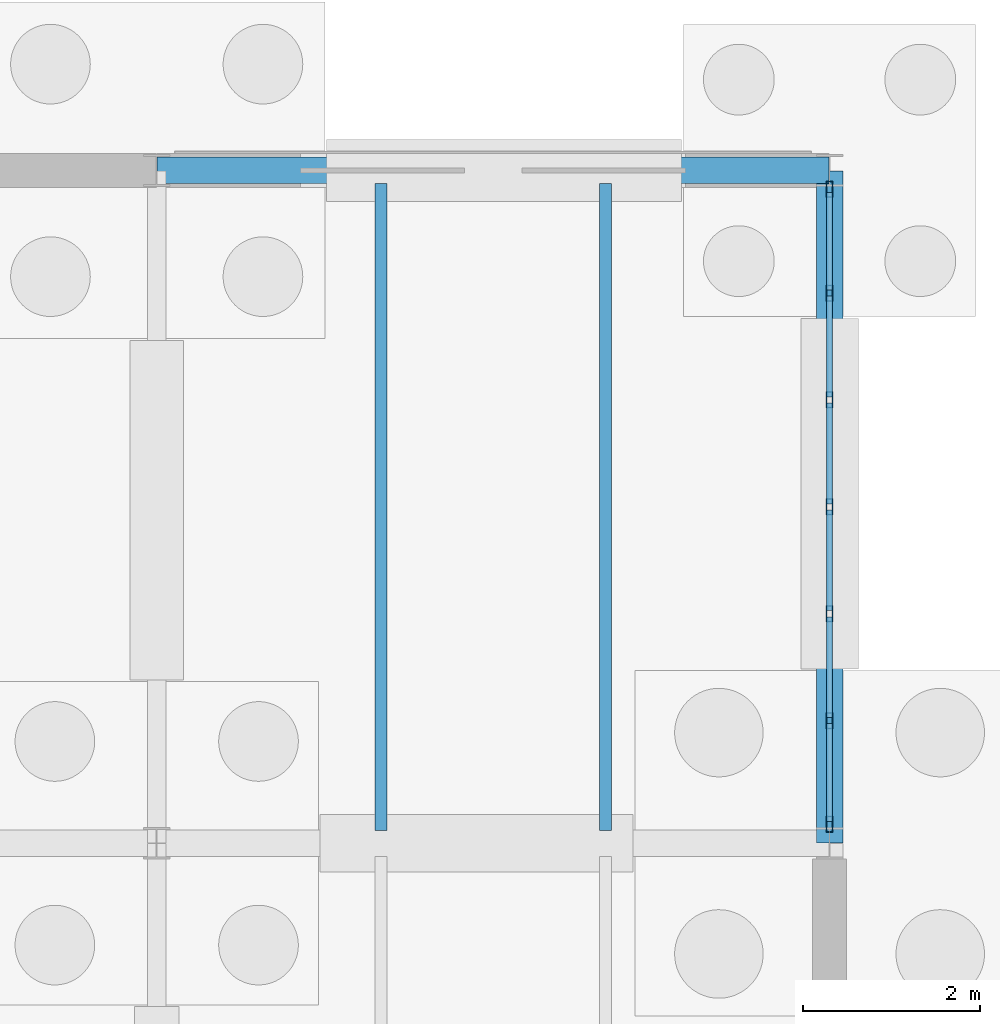
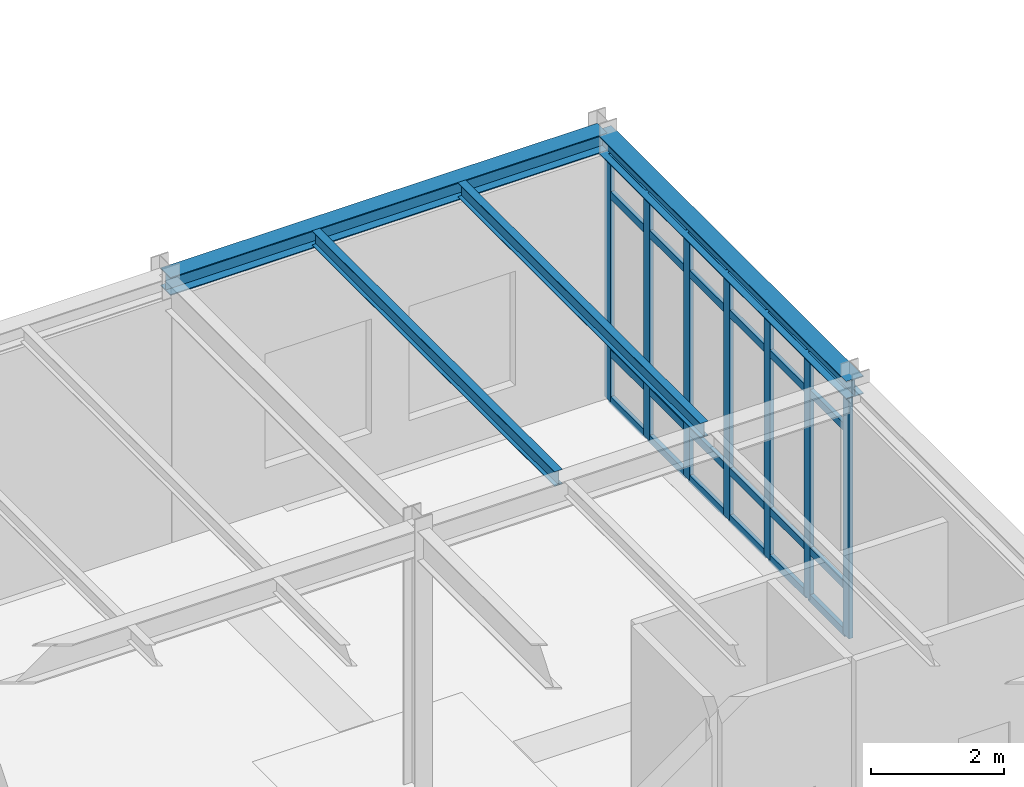
# One storey, part 35 of 109: 31 members, 4 beams, 1 element without a shape of its own.
"""IFC4 building model written with IfcOpenShell, lengths in metres."""

from ifc_helpers import new_model, si_unit, direction, frame, origin, origin_2d, place, context, subcontext, project, spatial, hollow_rectangle, i_section, extrude, material, layer, layer_set, material_profile, profile_set, type_object, element, aggregate, save


model = new_model("IFC4")

# Units and contexts
model_context = context("Model", 3, precision=1e-05, world=origin(), true_north=direction((0.0, 1.0)))
body_context = subcontext(model_context, "Body", "Model", "MODEL_VIEW")
ifc_project = project(units=[si_unit("LENGTHUNIT", "METRE"), si_unit("AREAUNIT", "SQUARE_METRE"), si_unit("VOLUMEUNIT", "CUBIC_METRE"), si_unit("PLANEANGLEUNIT", "RADIAN"), si_unit("MASSUNIT", "GRAM", prefix="KILO")], contexts=[model_context])

# Site, building, storey
site_placement = place(None, origin())
site = spatial("IfcSite", under=ifc_project, at=site_placement, CompositionType="ELEMENT")
building_placement = place(site_placement, origin())
building = spatial("IfcBuilding", under=site, at=building_placement, Name="Montecoro Central Library", CompositionType="ELEMENT")
storey_placement = place(building_placement, origin())
storey = spatial("IfcBuildingStorey", under=building, at=storey_placement, Name="L00", CompositionType="ELEMENT", Elevation=0.0)

# Beams
ifc_material_1 = material(Name="Steel S355", Category="steel")
ifc_material_profile_1 = material_profile(ifc_material_1, i_section(OverallWidth=0.135009765625, OverallDepth=0.27001953125, WebThickness=0.006591796875, FlangeThickness=0.01025390625, at=origin_2d()), Name="IPE 270")
ifc_profile_set_1 = profile_set([ifc_material_profile_1], Name="Steel S355")
beam_type_1 = type_object("IfcBeamType", Name="BM-J-IPE270", PredefinedType="JOIST", material=ifc_profile_set_1)
for number, where, z_axis, x_axis, name in (
    (1, (37.93310546875, 27.947021484375, 4.7099609375), (0.0, 1.0, 0.0), (-1.0, 0.0, 0.0), "V3-L00-JS-56-DE-1"),
    (2, (40.467041015625, 27.947021484375, 4.7099609375), (0.0, 1.0, 0.0), (-1.0, 0.0, 0.0), "V3-L00-JS-56-DE-2"),
):
    element("IfcBeam", number, at=place(storey_placement, frame(where, z_axis=z_axis, x_axis=x_axis)), inside=storey, type_object=beam_type_1, Name=name, PredefinedType="JOIST", context=body_context, shape_type="SweptSolid", body=[
        extrude(i_section(OverallWidth=0.135009765625, OverallDepth=0.27001953125, WebThickness=0.006591796875, FlangeThickness=0.01025390625, at=origin_2d()), origin(), (0.0, 0.0, 1.0), 7.305908203125),
    ])
ifc_material_profile_2 = material_profile(ifc_material_1, i_section(OverallWidth=0.300048828125, OverallDepth=0.330078125, WebThickness=0.009521484375, FlangeThickness=0.0166015625, at=origin_2d()), Name="HEA 340")
ifc_profile_set_2 = profile_set([ifc_material_profile_2], Name="Steel S355")
beam_type_2 = type_object("IfcBeamType", Name="BM-SP-HEA340", PredefinedType="SPANDREL", material=ifc_profile_set_2)
for number, where, z_axis, x_axis, name in (
    (3, (35.405029296875, 35.39990234375, 4.679931640625), (1.0, 0.0, 0.0), (0.0, 1.0, 0.0), "V3-L00-BX-56-E"),
    (4, (43.0, 27.804931640625, 4.679931640625), (0.0, 1.0, 0.0), (-1.0, 0.0, 0.0), "V3-L00-BY-6-DE"),
):
    element("IfcBeam", number, at=place(storey_placement, frame(where, z_axis=z_axis, x_axis=x_axis)), inside=storey, type_object=beam_type_2, Name=name, PredefinedType="SPANDREL", context=body_context, shape_type="SweptSolid", body=[
        extrude(i_section(OverallWidth=0.300048828125, OverallDepth=0.330078125, WebThickness=0.009521484375, FlangeThickness=0.0166015625, at=origin_2d()), origin(), (0.0, 0.0, 1.0), 7.590087890625),
    ])

# Curtain wall, members
ifc_material_2 = material(Name="Bronze-anodised aluminium and low-E glazing", Category="aluminium")
ifc_layer = layer(ifc_material_2, 0.159912109375)
ifc_layer_set = layer_set([ifc_layer], Name="Bronze-anodised aluminium and low-E glazing")
curtain_wall_type = type_object("IfcCurtainWallType", Name="CWT-027", PredefinedType="NOTDEFINED", material=ifc_layer_set)
curtain_wall_placement = place(storey_placement, origin())
curtain_wall = element("IfcCurtainWall", 5, at=curtain_wall_placement, inside=storey, type_object=curtain_wall_type, Name="V3-L00-CW-E3", PredefinedType="NOTDEFINED")
ifc_material_3 = material(Name="Bronze-anodised aluminium", Category="aluminium")
ifc_material_profile_3 = material_profile(ifc_material_3, hollow_rectangle(XDim=0.070068359375, YDim=0.179931640625, WallThickness=0.0048828125, at=origin_2d()), Name="CWM 180x70x5.0")
ifc_profile_set_3 = profile_set([ifc_material_profile_3], Name="Bronze-anodised aluminium")
member_type_1 = type_object("IfcMemberType", Name="CWM-BRZ-70", PredefinedType="MULLION", material=ifc_profile_set_3)
member_1_placement = place(storey_placement, frame((43.0, 28.012939453125, 0.0), z_axis=(0.0, 0.0, 1.0), x_axis=(-1.0, 0.0, 0.0)))
member_1 = element("IfcMember", 6, at=member_1_placement, type_object=member_type_1, Name="CW-027 mullion 1", PredefinedType="MULLION", context=body_context, shape_type="SweptSolid", body=[
    extrude(hollow_rectangle(XDim=0.070068359375, YDim=0.179931640625, WallThickness=0.0048828125, at=origin_2d()), origin(), (0.0, 0.0, 1.0), 4.5),
])
member_2_placement = place(storey_placement, frame((43.0, 29.185302734375, 0.0), z_axis=(0.0, 0.0, 1.0), x_axis=(-1.0, 0.0, 0.0)))
member_2 = element("IfcMember", 7, at=member_2_placement, type_object=member_type_1, Name="CW-027 mullion 2", PredefinedType="MULLION", context=body_context, shape_type="SweptSolid", body=[
    extrude(hollow_rectangle(XDim=0.070068359375, YDim=0.179931640625, WallThickness=0.0048828125, at=origin_2d()), origin(), (0.0, 0.0, 1.0), 4.5),
])
member_3_placement = place(storey_placement, frame((43.0, 30.392578125, 0.0), z_axis=(0.0, 0.0, 1.0), x_axis=(-1.0, 0.0, 0.0)))
member_3 = element("IfcMember", 8, at=member_3_placement, type_object=member_type_1, Name="CW-027 mullion 3", PredefinedType="MULLION", context=body_context, shape_type="SweptSolid", body=[
    extrude(hollow_rectangle(XDim=0.070068359375, YDim=0.179931640625, WallThickness=0.0048828125, at=origin_2d()), origin(), (0.0, 0.0, 1.0), 4.5),
])
member_4_placement = place(storey_placement, frame((43.0, 31.60009765625, 0.0), z_axis=(0.0, 0.0, 1.0), x_axis=(-1.0, 0.0, 0.0)))
member_4 = element("IfcMember", 9, at=member_4_placement, type_object=member_type_1, Name="CW-027 mullion 4", PredefinedType="MULLION", context=body_context, shape_type="SweptSolid", body=[
    extrude(hollow_rectangle(XDim=0.070068359375, YDim=0.179931640625, WallThickness=0.0048828125, at=origin_2d()), origin(), (0.0, 0.0, 1.0), 4.5),
])
member_5_placement = place(storey_placement, frame((43.0, 32.807373046875, 0.0), z_axis=(0.0, 0.0, 1.0), x_axis=(-1.0, 0.0, 0.0)))
member_5 = element("IfcMember", 10, at=member_5_placement, type_object=member_type_1, Name="CW-027 mullion 5", PredefinedType="MULLION", context=body_context, shape_type="SweptSolid", body=[
    extrude(hollow_rectangle(XDim=0.070068359375, YDim=0.179931640625, WallThickness=0.0048828125, at=origin_2d()), origin(), (0.0, 0.0, 1.0), 4.5),
])
member_6_placement = place(storey_placement, frame((43.0, 34.0146484375, 0.0), z_axis=(0.0, 0.0, 1.0), x_axis=(-1.0, 0.0, 0.0)))
member_6 = element("IfcMember", 11, at=member_6_placement, type_object=member_type_1, Name="CW-027 mullion 6", PredefinedType="MULLION", context=body_context, shape_type="SweptSolid", body=[
    extrude(hollow_rectangle(XDim=0.070068359375, YDim=0.179931640625, WallThickness=0.0048828125, at=origin_2d()), origin(), (0.0, 0.0, 1.0), 4.5),
])
member_7_placement = place(storey_placement, frame((43.0, 35.18701171875, 0.0), z_axis=(0.0, 0.0, 1.0), x_axis=(-1.0, 0.0, 0.0)))
member_7 = element("IfcMember", 12, at=member_7_placement, type_object=member_type_1, Name="CW-027 mullion 7", PredefinedType="MULLION", context=body_context, shape_type="SweptSolid", body=[
    extrude(hollow_rectangle(XDim=0.070068359375, YDim=0.179931640625, WallThickness=0.0048828125, at=origin_2d()), origin(), (0.0, 0.0, 1.0), 4.5),
])
ifc_material_profile_4 = material_profile(ifc_material_3, hollow_rectangle(XDim=0.070068359375, YDim=0.139892578125, WallThickness=0.00390625, at=origin_2d()), Name="CWT 140x70x4.0")
ifc_profile_set_4 = profile_set([ifc_material_profile_4], Name="Bronze-anodised aluminium")
member_type_2 = type_object("IfcMemberType", Name="CWT-BRZ-70", PredefinedType="USERDEFINED", material=ifc_profile_set_4)
member_8_placement = place(storey_placement, frame((43.0, 28.048095703125, 0.034912109375), z_axis=(0.0, 1.0, 0.0), x_axis=(-1.0, 0.0, 0.0)))
member_8 = element("IfcMember", 13, at=member_8_placement, type_object=member_type_2, Name="CW-027 transom 1.1", ObjectType="TRANSOM", PredefinedType="USERDEFINED", context=body_context, shape_type="SweptSolid", body=[
    extrude(hollow_rectangle(XDim=0.070068359375, YDim=0.139892578125, WallThickness=0.00390625, at=origin_2d()), origin(), (0.0, 0.0, 1.0), 1.102294921875),
])
member_9_placement = place(storey_placement, frame((43.0, 28.048095703125, 0.89990234375), z_axis=(0.0, 1.0, 0.0), x_axis=(-1.0, 0.0, 0.0)))
member_9 = element("IfcMember", 14, at=member_9_placement, type_object=member_type_2, Name="CW-027 transom 1.2", ObjectType="TRANSOM", PredefinedType="USERDEFINED", context=body_context, shape_type="SweptSolid", body=[
    extrude(hollow_rectangle(XDim=0.070068359375, YDim=0.139892578125, WallThickness=0.00390625, at=origin_2d()), origin(), (0.0, 0.0, 1.0), 1.102294921875),
])
member_10_placement = place(storey_placement, frame((43.0, 28.048095703125, 3.800048828125), z_axis=(0.0, 1.0, 0.0), x_axis=(-1.0, 0.0, 0.0)))
member_10 = element("IfcMember", 15, at=member_10_placement, type_object=member_type_2, Name="CW-027 transom 1.3", ObjectType="TRANSOM", PredefinedType="USERDEFINED", context=body_context, shape_type="SweptSolid", body=[
    extrude(hollow_rectangle(XDim=0.070068359375, YDim=0.139892578125, WallThickness=0.00390625, at=origin_2d()), origin(), (0.0, 0.0, 1.0), 1.102294921875),
])
member_11_placement = place(storey_placement, frame((43.0, 28.048095703125, 4.465087890625), z_axis=(0.0, 1.0, 0.0), x_axis=(-1.0, 0.0, 0.0)))
member_11 = element("IfcMember", 16, at=member_11_placement, type_object=member_type_2, Name="CW-027 transom 1.4", ObjectType="TRANSOM", PredefinedType="USERDEFINED", context=body_context, shape_type="SweptSolid", body=[
    extrude(hollow_rectangle(XDim=0.070068359375, YDim=0.139892578125, WallThickness=0.00390625, at=origin_2d()), origin(), (0.0, 0.0, 1.0), 1.102294921875),
])
member_12_placement = place(storey_placement, frame((43.0, 29.22021484375, 0.034912109375), z_axis=(0.0, 1.0, 0.0), x_axis=(-1.0, 0.0, 0.0)))
member_12 = element("IfcMember", 17, at=member_12_placement, type_object=member_type_2, Name="CW-027 transom 2.1", ObjectType="TRANSOM", PredefinedType="USERDEFINED", context=body_context, shape_type="SweptSolid", body=[
    extrude(hollow_rectangle(XDim=0.070068359375, YDim=0.139892578125, WallThickness=0.00390625, at=origin_2d()), origin(), (0.0, 0.0, 1.0), 1.137451171875),
])
member_13_placement = place(storey_placement, frame((43.0, 29.22021484375, 0.89990234375), z_axis=(0.0, 1.0, 0.0), x_axis=(-1.0, 0.0, 0.0)))
member_13 = element("IfcMember", 18, at=member_13_placement, type_object=member_type_2, Name="CW-027 transom 2.2", ObjectType="TRANSOM", PredefinedType="USERDEFINED", context=body_context, shape_type="SweptSolid", body=[
    extrude(hollow_rectangle(XDim=0.070068359375, YDim=0.139892578125, WallThickness=0.00390625, at=origin_2d()), origin(), (0.0, 0.0, 1.0), 1.137451171875),
])
member_14_placement = place(storey_placement, frame((43.0, 29.22021484375, 3.800048828125), z_axis=(0.0, 1.0, 0.0), x_axis=(-1.0, 0.0, 0.0)))
member_14 = element("IfcMember", 19, at=member_14_placement, type_object=member_type_2, Name="CW-027 transom 2.3", ObjectType="TRANSOM", PredefinedType="USERDEFINED", context=body_context, shape_type="SweptSolid", body=[
    extrude(hollow_rectangle(XDim=0.070068359375, YDim=0.139892578125, WallThickness=0.00390625, at=origin_2d()), origin(), (0.0, 0.0, 1.0), 1.137451171875),
])
member_15_placement = place(storey_placement, frame((43.0, 29.22021484375, 4.465087890625), z_axis=(0.0, 1.0, 0.0), x_axis=(-1.0, 0.0, 0.0)))
member_15 = element("IfcMember", 20, at=member_15_placement, type_object=member_type_2, Name="CW-027 transom 2.4", ObjectType="TRANSOM", PredefinedType="USERDEFINED", context=body_context, shape_type="SweptSolid", body=[
    extrude(hollow_rectangle(XDim=0.070068359375, YDim=0.139892578125, WallThickness=0.00390625, at=origin_2d()), origin(), (0.0, 0.0, 1.0), 1.137451171875),
])
member_16_placement = place(storey_placement, frame((43.0, 30.427734375, 0.034912109375), z_axis=(0.0, 1.0, 0.0), x_axis=(-1.0, 0.0, 0.0)))
member_16 = element("IfcMember", 21, at=member_16_placement, type_object=member_type_2, Name="CW-027 transom 3.1", ObjectType="TRANSOM", PredefinedType="USERDEFINED", context=body_context, shape_type="SweptSolid", body=[
    extrude(hollow_rectangle(XDim=0.070068359375, YDim=0.139892578125, WallThickness=0.00390625, at=origin_2d()), origin(), (0.0, 0.0, 1.0), 1.13720703125),
])
member_17_placement = place(storey_placement, frame((43.0, 30.427734375, 0.89990234375), z_axis=(0.0, 1.0, 0.0), x_axis=(-1.0, 0.0, 0.0)))
member_17 = element("IfcMember", 22, at=member_17_placement, type_object=member_type_2, Name="CW-027 transom 3.2", ObjectType="TRANSOM", PredefinedType="USERDEFINED", context=body_context, shape_type="SweptSolid", body=[
    extrude(hollow_rectangle(XDim=0.070068359375, YDim=0.139892578125, WallThickness=0.00390625, at=origin_2d()), origin(), (0.0, 0.0, 1.0), 1.13720703125),
])
member_18_placement = place(storey_placement, frame((43.0, 30.427734375, 3.800048828125), z_axis=(0.0, 1.0, 0.0), x_axis=(-1.0, 0.0, 0.0)))
member_18 = element("IfcMember", 23, at=member_18_placement, type_object=member_type_2, Name="CW-027 transom 3.3", ObjectType="TRANSOM", PredefinedType="USERDEFINED", context=body_context, shape_type="SweptSolid", body=[
    extrude(hollow_rectangle(XDim=0.070068359375, YDim=0.139892578125, WallThickness=0.00390625, at=origin_2d()), origin(), (0.0, 0.0, 1.0), 1.13720703125),
])
member_19_placement = place(storey_placement, frame((43.0, 30.427734375, 4.465087890625), z_axis=(0.0, 1.0, 0.0), x_axis=(-1.0, 0.0, 0.0)))
member_19 = element("IfcMember", 24, at=member_19_placement, type_object=member_type_2, Name="CW-027 transom 3.4", ObjectType="TRANSOM", PredefinedType="USERDEFINED", context=body_context, shape_type="SweptSolid", body=[
    extrude(hollow_rectangle(XDim=0.070068359375, YDim=0.139892578125, WallThickness=0.00390625, at=origin_2d()), origin(), (0.0, 0.0, 1.0), 1.13720703125),
])
member_20_placement = place(storey_placement, frame((43.0, 31.635009765625, 0.034912109375), z_axis=(0.0, 1.0, 0.0), x_axis=(-1.0, 0.0, 0.0)))
member_20 = element("IfcMember", 25, at=member_20_placement, type_object=member_type_2, Name="CW-027 transom 4.1", ObjectType="TRANSOM", PredefinedType="USERDEFINED", context=body_context, shape_type="SweptSolid", body=[
    extrude(hollow_rectangle(XDim=0.070068359375, YDim=0.139892578125, WallThickness=0.00390625, at=origin_2d()), origin(), (0.0, 0.0, 1.0), 1.13720703125),
])
member_21_placement = place(storey_placement, frame((43.0, 31.635009765625, 0.89990234375), z_axis=(0.0, 1.0, 0.0), x_axis=(-1.0, 0.0, 0.0)))
member_21 = element("IfcMember", 26, at=member_21_placement, type_object=member_type_2, Name="CW-027 transom 4.2", ObjectType="TRANSOM", PredefinedType="USERDEFINED", context=body_context, shape_type="SweptSolid", body=[
    extrude(hollow_rectangle(XDim=0.070068359375, YDim=0.139892578125, WallThickness=0.00390625, at=origin_2d()), origin(), (0.0, 0.0, 1.0), 1.13720703125),
])
member_22_placement = place(storey_placement, frame((43.0, 31.635009765625, 3.800048828125), z_axis=(0.0, 1.0, 0.0), x_axis=(-1.0, 0.0, 0.0)))
member_22 = element("IfcMember", 27, at=member_22_placement, type_object=member_type_2, Name="CW-027 transom 4.3", ObjectType="TRANSOM", PredefinedType="USERDEFINED", context=body_context, shape_type="SweptSolid", body=[
    extrude(hollow_rectangle(XDim=0.070068359375, YDim=0.139892578125, WallThickness=0.00390625, at=origin_2d()), origin(), (0.0, 0.0, 1.0), 1.13720703125),
])
member_23_placement = place(storey_placement, frame((43.0, 31.635009765625, 4.465087890625), z_axis=(0.0, 1.0, 0.0), x_axis=(-1.0, 0.0, 0.0)))
member_23 = element("IfcMember", 28, at=member_23_placement, type_object=member_type_2, Name="CW-027 transom 4.4", ObjectType="TRANSOM", PredefinedType="USERDEFINED", context=body_context, shape_type="SweptSolid", body=[
    extrude(hollow_rectangle(XDim=0.070068359375, YDim=0.139892578125, WallThickness=0.00390625, at=origin_2d()), origin(), (0.0, 0.0, 1.0), 1.13720703125),
])
member_24_placement = place(storey_placement, frame((43.0, 32.84228515625, 0.034912109375), z_axis=(0.0, 1.0, 0.0), x_axis=(-1.0, 0.0, 0.0)))
member_24 = element("IfcMember", 29, at=member_24_placement, type_object=member_type_2, Name="CW-027 transom 5.1", ObjectType="TRANSOM", PredefinedType="USERDEFINED", context=body_context, shape_type="SweptSolid", body=[
    extrude(hollow_rectangle(XDim=0.070068359375, YDim=0.139892578125, WallThickness=0.00390625, at=origin_2d()), origin(), (0.0, 0.0, 1.0), 1.137451171875),
])
member_25_placement = place(storey_placement, frame((43.0, 32.84228515625, 0.89990234375), z_axis=(0.0, 1.0, 0.0), x_axis=(-1.0, 0.0, 0.0)))
member_25 = element("IfcMember", 30, at=member_25_placement, type_object=member_type_2, Name="CW-027 transom 5.2", ObjectType="TRANSOM", PredefinedType="USERDEFINED", context=body_context, shape_type="SweptSolid", body=[
    extrude(hollow_rectangle(XDim=0.070068359375, YDim=0.139892578125, WallThickness=0.00390625, at=origin_2d()), origin(), (0.0, 0.0, 1.0), 1.137451171875),
])
member_26_placement = place(storey_placement, frame((43.0, 32.84228515625, 3.800048828125), z_axis=(0.0, 1.0, 0.0), x_axis=(-1.0, 0.0, 0.0)))
member_26 = element("IfcMember", 31, at=member_26_placement, type_object=member_type_2, Name="CW-027 transom 5.3", ObjectType="TRANSOM", PredefinedType="USERDEFINED", context=body_context, shape_type="SweptSolid", body=[
    extrude(hollow_rectangle(XDim=0.070068359375, YDim=0.139892578125, WallThickness=0.00390625, at=origin_2d()), origin(), (0.0, 0.0, 1.0), 1.137451171875),
])
member_27_placement = place(storey_placement, frame((43.0, 32.84228515625, 4.465087890625), z_axis=(0.0, 1.0, 0.0), x_axis=(-1.0, 0.0, 0.0)))
member_27 = element("IfcMember", 32, at=member_27_placement, type_object=member_type_2, Name="CW-027 transom 5.4", ObjectType="TRANSOM", PredefinedType="USERDEFINED", context=body_context, shape_type="SweptSolid", body=[
    extrude(hollow_rectangle(XDim=0.070068359375, YDim=0.139892578125, WallThickness=0.00390625, at=origin_2d()), origin(), (0.0, 0.0, 1.0), 1.137451171875),
])
member_28_placement = place(storey_placement, frame((43.0, 34.049560546875, 0.034912109375), z_axis=(0.0, 1.0, 0.0), x_axis=(-1.0, 0.0, 0.0)))
member_28 = element("IfcMember", 33, at=member_28_placement, type_object=member_type_2, Name="CW-027 transom 6.1", ObjectType="TRANSOM", PredefinedType="USERDEFINED", context=body_context, shape_type="SweptSolid", body=[
    extrude(hollow_rectangle(XDim=0.070068359375, YDim=0.139892578125, WallThickness=0.00390625, at=origin_2d()), origin(), (0.0, 0.0, 1.0), 1.1025390625),
])
member_29_placement = place(storey_placement, frame((43.0, 34.049560546875, 0.89990234375), z_axis=(0.0, 1.0, 0.0), x_axis=(-1.0, 0.0, 0.0)))
member_29 = element("IfcMember", 34, at=member_29_placement, type_object=member_type_2, Name="CW-027 transom 6.2", ObjectType="TRANSOM", PredefinedType="USERDEFINED", context=body_context, shape_type="SweptSolid", body=[
    extrude(hollow_rectangle(XDim=0.070068359375, YDim=0.139892578125, WallThickness=0.00390625, at=origin_2d()), origin(), (0.0, 0.0, 1.0), 1.1025390625),
])
member_30_placement = place(storey_placement, frame((43.0, 34.049560546875, 3.800048828125), z_axis=(0.0, 1.0, 0.0), x_axis=(-1.0, 0.0, 0.0)))
member_30 = element("IfcMember", 35, at=member_30_placement, type_object=member_type_2, Name="CW-027 transom 6.3", ObjectType="TRANSOM", PredefinedType="USERDEFINED", context=body_context, shape_type="SweptSolid", body=[
    extrude(hollow_rectangle(XDim=0.070068359375, YDim=0.139892578125, WallThickness=0.00390625, at=origin_2d()), origin(), (0.0, 0.0, 1.0), 1.1025390625),
])
member_31_placement = place(storey_placement, frame((43.0, 34.049560546875, 4.465087890625), z_axis=(0.0, 1.0, 0.0), x_axis=(-1.0, 0.0, 0.0)))
member_31 = element("IfcMember", 36, at=member_31_placement, type_object=member_type_2, Name="CW-027 transom 6.4", ObjectType="TRANSOM", PredefinedType="USERDEFINED", context=body_context, shape_type="SweptSolid", body=[
    extrude(hollow_rectangle(XDim=0.070068359375, YDim=0.139892578125, WallThickness=0.00390625, at=origin_2d()), origin(), (0.0, 0.0, 1.0), 1.1025390625),
])
aggregate(curtain_wall, [member_1, member_2, member_3, member_4, member_5, member_6, member_7, member_8, member_9, member_10, member_11, member_12, member_13, member_14, member_15, member_16, member_17, member_18, member_19, member_20, member_21, member_22, member_23, member_24, member_25, member_26, member_27, member_28, member_29, member_30, member_31])

save(model, "model.ifc")
